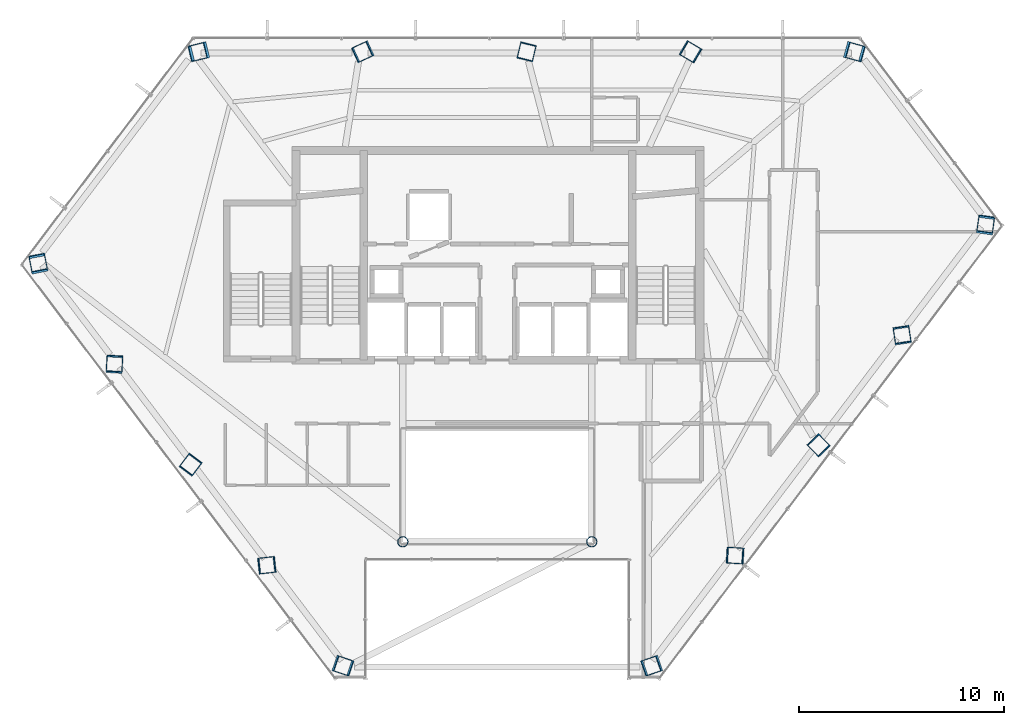
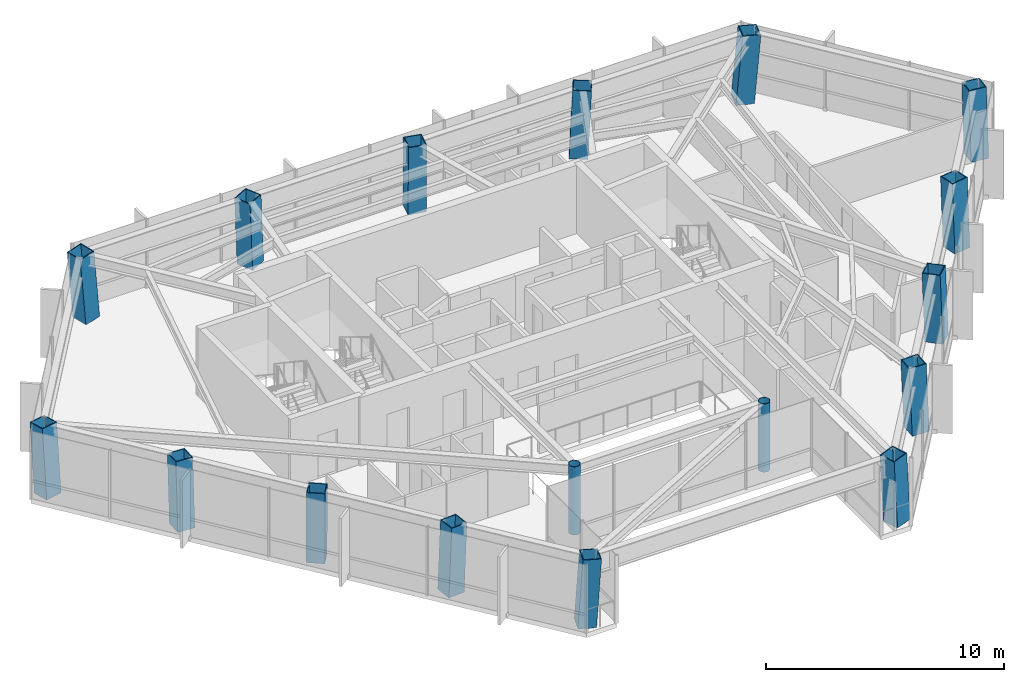
# One storey, part 1 of 30: 17 columns.
"""IFC4 building model written with IfcOpenShell, lengths in metres."""

from ifc_helpers import new_model, si_unit, direction, frame, origin, origin_2d, place, context, subcontext, project, spatial, hollow_rectangle, hollow_circle, extrude, material, material_profile, profile_set, type_object, element, save


model = new_model("IFC4")

# Units and contexts
model_context = context("Model", 3, precision=1e-05, world=origin(), true_north=direction((0.0, 1.0)))
body_context = subcontext(model_context, "Body", "Model", "MODEL_VIEW")
ifc_project = project(units=[si_unit("LENGTHUNIT", "METRE"), si_unit("AREAUNIT", "SQUARE_METRE"), si_unit("VOLUMEUNIT", "CUBIC_METRE"), si_unit("PLANEANGLEUNIT", "RADIAN"), si_unit("MASSUNIT", "GRAM", prefix="KILO")], contexts=[model_context])

# Site, building, storey
site_placement = place(None, origin())
site = spatial("IfcSite", under=ifc_project, at=site_placement, CompositionType="ELEMENT")
building_placement = place(site_placement, origin())
building = spatial("IfcBuilding", under=site, at=building_placement, Name="Zarrinselat Tower", CompositionType="ELEMENT")
storey_placement = place(building_placement, frame((0.0, 0.0, 160.820068359375)))
storey = spatial("IfcBuildingStorey", under=building, at=storey_placement, Name="L39", CompositionType="ELEMENT", Elevation=160.820068359375)

# Columns
ifc_material_1 = material(Name="Steel S355J2", Category="steel")
ifc_material_profile_1 = material_profile(ifc_material_1, hollow_circle(Radius=0.25390625, WallThickness=0.02001953125, at=origin_2d()), Name="CHS 508x20")
ifc_profile_set_1 = profile_set([ifc_material_profile_1], Name="Steel S355J2")
column_type_1 = type_object("IfcColumnType", Name="COL-CHS508", PredefinedType="COLUMN", material=ifc_profile_set_1)
for number, where, z_axis, x_axis, name in (
    (1, (33.800048828125, 24.39990234375, 0.0), (0.0, 0.0, 1.0), (1.0, 0.0, 0.0), "L39 Atrium Corner Column 1"),
    (2, (43.0, 24.39990234375, 0.0), (0.0, 0.0, 1.0), (1.0, 0.0, 0.0), "L39 Atrium Corner Column 2"),
):
    element("IfcColumn", number, at=place(storey_placement, frame(where, z_axis=z_axis, x_axis=x_axis)), inside=storey, type_object=column_type_1, Name=name, PredefinedType="COLUMN", context=body_context, shape_type="SweptSolid", body=[
        extrude(hollow_circle(Radius=0.25390625, WallThickness=0.02001953125, at=origin_2d()), origin(), (0.0, 0.0, 1.0), 3.5),
    ])
ifc_material_2 = material(Name="Steel S460M", Category="steel")
ifc_material_profile_2 = material_profile(ifc_material_2, hollow_rectangle(XDim=0.800048828125, YDim=0.800048828125, WallThickness=0.0400390625, at=origin_2d()), Name="SHS 800x800x40")
ifc_profile_set_2 = profile_set([ifc_material_profile_2], Name="Steel S460M")
column_type_2 = type_object("IfcColumnType", Name="COL-SHS800", PredefinedType="COLUMN", material=ifc_profile_set_2)
column_1_placement = place(storey_placement, frame((55.7421875, 48.2666015625, 0.0), z_axis=(0.08014844347, -0.022105121443, 0.9965378019), x_axis=(0.265875414289, 0.964007398351, 0.0)))
element("IfcColumn", 3, at=column_1_placement, inside=storey, type_object=column_type_2, Name="L39 Framed-Tube Column T01", PredefinedType="COLUMN", context=body_context, shape_type="SweptSolid", body=[
    extrude(hollow_rectangle(XDim=0.800048828125, YDim=0.800048828125, WallThickness=0.0400390625, at=origin_2d()), origin(), (0.0, 0.0, 1.0), 3.51220703125),
])
column_2_placement = place(storey_placement, frame((47.7861328125, 48.2666015625, 0.0), z_axis=(0.037492293874, -0.022160872587, 0.999051161666), x_axis=(0.508837126111, 0.860862810842, 0.0)))
element("IfcColumn", 4, at=column_2_placement, inside=storey, type_object=column_type_2, Name="L39 Framed-Tube Column T02", PredefinedType="COLUMN", context=body_context, shape_type="SweptSolid", body=[
    extrude(hollow_rectangle(XDim=0.800048828125, YDim=0.800048828125, WallThickness=0.0400390625, at=origin_2d()), origin(), (0.0, 0.0, 1.0), 3.50341796875),
])
column_3_placement = place(storey_placement, frame((39.830078125, 48.2666015625, 0.0), z_axis=(-0.005439429686, -0.022176136413, 0.999739281802), x_axis=(0.971210844098, -0.238221527798, 0.0)))
element("IfcColumn", 5, at=column_3_placement, inside=storey, type_object=column_type_2, Name="L39 Framed-Tube Column T03", PredefinedType="COLUMN", context=body_context, shape_type="SweptSolid", body=[
    extrude(hollow_rectangle(XDim=0.800048828125, YDim=0.800048828125, WallThickness=0.0400390625, at=origin_2d()), origin(), (0.0, 0.0, 1.0), 3.5009765625),
])
column_4_placement = place(storey_placement, frame((31.8740234375, 48.2666015625, 0.0), z_axis=(-0.048341110473, -0.022150537652, 0.998585244594), x_axis=(0.416564496591, -0.909106165516, 0.0)))
element("IfcColumn", 6, at=column_4_placement, inside=storey, type_object=column_type_2, Name="L39 Framed-Tube Column T04", PredefinedType="COLUMN", context=body_context, shape_type="SweptSolid", body=[
    extrude(hollow_rectangle(XDim=0.800048828125, YDim=0.800048828125, WallThickness=0.0400390625, at=origin_2d()), origin(), (0.0, 0.0, 1.0), 3.5048828125),
])
column_5_placement = place(storey_placement, frame((23.91796875, 48.2666015625, 0.0), z_axis=(-0.090908148207, -0.022084637991, 0.99561437181), x_axis=(0.236067428026, -0.971736676999, 0.0)))
element("IfcColumn", 7, at=column_5_placement, inside=storey, type_object=column_type_2, Name="L39 Framed-Tube Column T05", PredefinedType="COLUMN", context=body_context, shape_type="SweptSolid", body=[
    extrude(hollow_rectangle(XDim=0.800048828125, YDim=0.800048828125, WallThickness=0.0400390625, at=origin_2d()), origin(), (0.0, 0.0, 1.0), 3.515380859375),
])
column_6_placement = place(storey_placement, frame((16.06298828125, 37.89794921875, 0.0), z_axis=(-0.015297655771, 0.077809440037, 0.9968508779), x_axis=(-0.981216230169, -0.192911144448, 0.0)))
element("IfcColumn", 8, at=column_6_placement, inside=storey, type_object=column_type_2, Name="L39 Framed-Tube Column T06", PredefinedType="COLUMN", context=body_context, shape_type="SweptSolid", body=[
    extrude(hollow_rectangle(XDim=0.800048828125, YDim=0.800048828125, WallThickness=0.0400390625, at=origin_2d()), origin(), (0.0, 0.0, 1.0), 3.510986328125),
])
column_7_placement = place(storey_placement, frame((19.7607421875, 33.016845703125, 0.0), z_axis=(0.003273760148, 0.053424979434, 0.998566499572), x_axis=(-0.998127792312, 0.061162980754, 0.0)))
element("IfcColumn", 9, at=column_7_placement, inside=storey, type_object=column_type_2, Name="L39 Framed-Tube Column T07", PredefinedType="COLUMN", context=body_context, shape_type="SweptSolid", body=[
    extrude(hollow_rectangle(XDim=0.800048828125, YDim=0.800048828125, WallThickness=0.0400390625, at=origin_2d()), origin(), (0.0, 0.0, 1.0), 3.505126953125),
])
column_8_placement = place(storey_placement, frame((23.45849609375, 28.1357421875, 0.0), z_axis=(0.021818765614, 0.028998742797, 0.999341290242), x_axis=(-0.799077043464, 0.601228640875, 0.0)))
element("IfcColumn", 10, at=column_8_placement, inside=storey, type_object=column_type_2, Name="L39 Framed-Tube Column T08", PredefinedType="COLUMN", context=body_context, shape_type="SweptSolid", body=[
    extrude(hollow_rectangle(XDim=0.800048828125, YDim=0.800048828125, WallThickness=0.0400390625, at=origin_2d()), origin(), (0.0, 0.0, 1.0), 3.502197265625),
])
column_9_placement = place(storey_placement, frame((27.156494140625, 23.254638671875, 0.0), z_axis=(0.040354533734, 0.004460604765, 0.999175467379), x_axis=(-0.109866266373, 0.993946378591, 0.0)))
element("IfcColumn", 11, at=column_9_placement, inside=storey, type_object=column_type_2, Name="L39 Framed-Tube Column T09", PredefinedType="COLUMN", context=body_context, shape_type="SweptSolid", body=[
    extrude(hollow_rectangle(XDim=0.800048828125, YDim=0.800048828125, WallThickness=0.0400390625, at=origin_2d()), origin(), (0.0, 0.0, 1.0), 3.5029296875),
])
for number, where, z_axis, x_axis, name in (
    (12, (30.854248046875, 18.373291015625, 0.0), (0.058828651938, -0.019980855747, 0.998068111461), (0.321601382502, 0.946875150573, 0.0), "L39 Framed-Tube Column T10"),
    (13, (45.94580078125, 18.373291015625, 0.0), (-0.058828651938, -0.019980855747, 0.998068111461), (0.321601382502, -0.946875150573, 0.0), "L39 Framed-Tube Column T11"),
):
    element("IfcColumn", number, at=place(storey_placement, frame(where, z_axis=z_axis, x_axis=x_axis)), inside=storey, type_object=column_type_2, Name=name, PredefinedType="COLUMN", context=body_context, shape_type="SweptSolid", body=[
        extrude(hollow_rectangle(XDim=0.800048828125, YDim=0.800048828125, WallThickness=0.0400390625, at=origin_2d()), origin(), (0.0, 0.0, 1.0), 3.5068359375),
    ])
column_10_placement = place(storey_placement, frame((50.0009765625, 23.7265625, 0.0), z_axis=(-0.041676780558, 0.002648357293, 0.999127635573), x_axis=(-0.063417240527, -0.997987100921, 0.0)))
element("IfcColumn", 14, at=column_10_placement, inside=storey, type_object=column_type_2, Name="L39 Framed-Tube Column T12", PredefinedType="COLUMN", context=body_context, shape_type="SweptSolid", body=[
    extrude(hollow_rectangle(XDim=0.800048828125, YDim=0.800048828125, WallThickness=0.0400390625, at=origin_2d()), origin(), (0.0, 0.0, 1.0), 3.503173828125),
])
column_11_placement = place(storey_placement, frame((54.056396484375, 29.07958984375, 0.0), z_axis=(-0.0244686005, 0.025374844962, 0.999378509291), x_axis=(-0.719844295421, -0.694135570584, 0.0)))
element("IfcColumn", 15, at=column_11_placement, inside=storey, type_object=column_type_2, Name="L39 Framed-Tube Column T13", PredefinedType="COLUMN", context=body_context, shape_type="SweptSolid", body=[
    extrude(hollow_rectangle(XDim=0.800048828125, YDim=0.800048828125, WallThickness=0.0400390625, at=origin_2d()), origin(), (0.0, 0.0, 1.0), 3.502197265625),
])
column_12_placement = place(storey_placement, frame((58.11181640625, 34.4326171875, 0.0), z_axis=(-0.007315554229, 0.048073642076, 0.998817004062), x_axis=(-0.98861883734, -0.150441996986, 0.0)))
element("IfcColumn", 16, at=column_12_placement, inside=storey, type_object=column_type_2, Name="L39 Framed-Tube Column T14", PredefinedType="COLUMN", context=body_context, shape_type="SweptSolid", body=[
    extrude(hollow_rectangle(XDim=0.800048828125, YDim=0.800048828125, WallThickness=0.0400390625, at=origin_2d()), origin(), (0.0, 0.0, 1.0), 3.504150390625),
])
column_13_placement = place(storey_placement, frame((62.1669921875, 39.78564453125, 0.0), z_axis=(0.009949439771, 0.070689725925, 0.997448731162), x_axis=(-0.990239771423, 0.139374298537, 0.0)))
element("IfcColumn", 17, at=column_13_placement, inside=storey, type_object=column_type_2, Name="L39 Framed-Tube Column T15", PredefinedType="COLUMN", context=body_context, shape_type="SweptSolid", body=[
    extrude(hollow_rectangle(XDim=0.800048828125, YDim=0.800048828125, WallThickness=0.0400390625, at=origin_2d()), origin(), (0.0, 0.0, 1.0), 3.509033203125),
])

save(model, "model.ifc")
